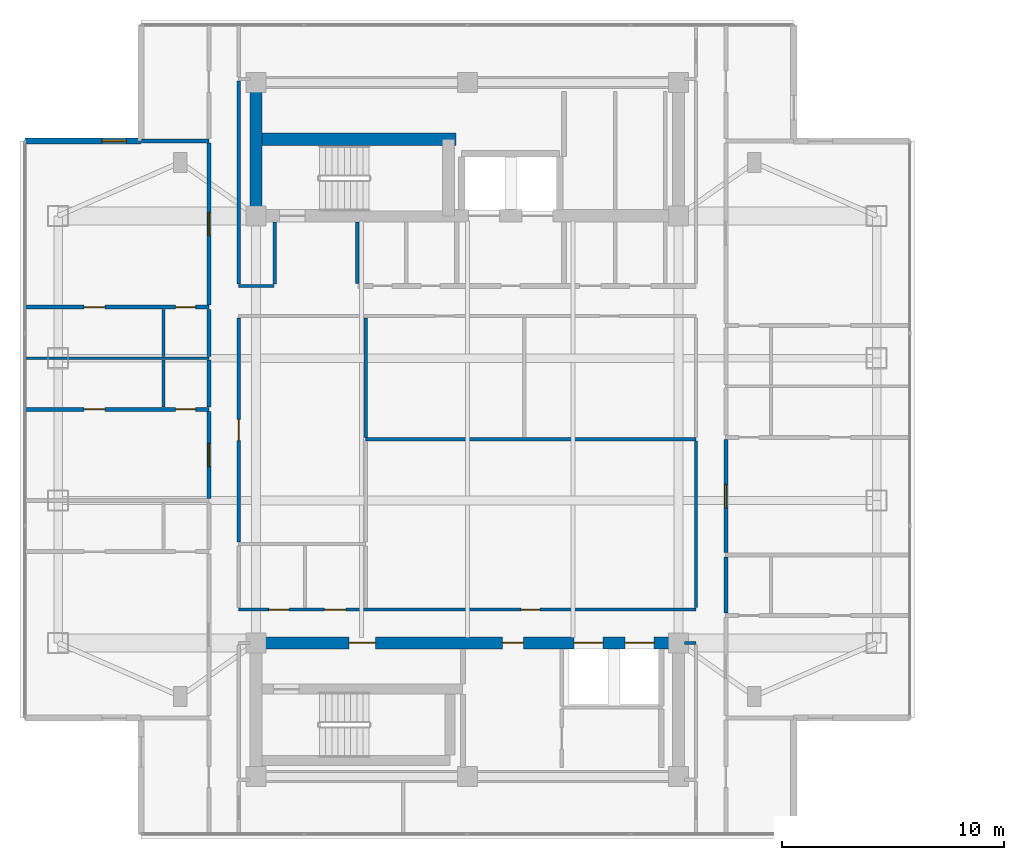
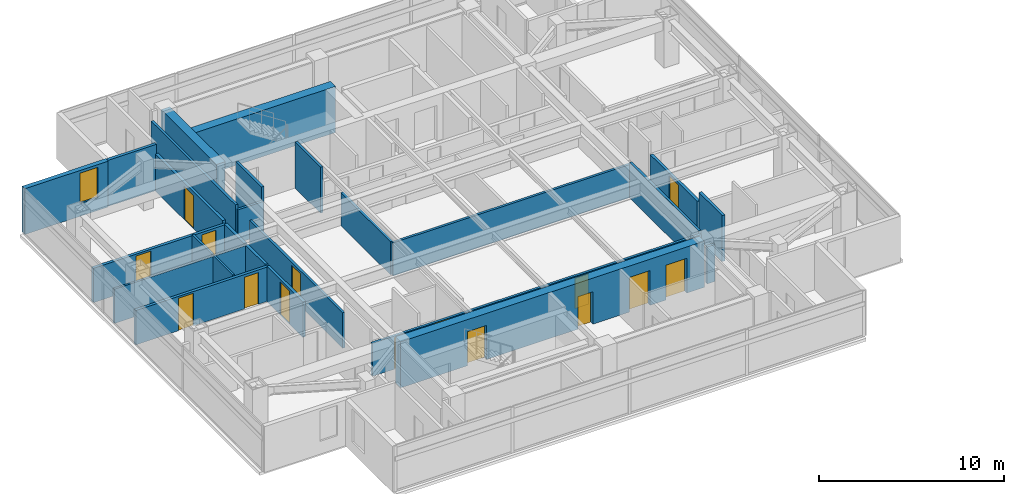
# One storey, part 13 of 24: 26 walls, 15 doors, 1 window, 16 openings.
"""IFC4 building model written with IfcOpenShell, lengths in metres."""

from ifc_helpers import new_model, si_unit, direction, frame, frame_2d, origin, place, context, subcontext, project, spatial, rectangle, extrude, material, layer, layer_set, type_object, element, fill, save


model = new_model("IFC4")

# Units and contexts
model_context = context("Model", 3, precision=1e-05, world=origin(), true_north=direction((0.0, 1.0)))
body_context = subcontext(model_context, "Body", "Model", "MODEL_VIEW")
ifc_project = project(units=[si_unit("LENGTHUNIT", "METRE"), si_unit("AREAUNIT", "SQUARE_METRE"), si_unit("VOLUMEUNIT", "CUBIC_METRE"), si_unit("PLANEANGLEUNIT", "RADIAN"), si_unit("MASSUNIT", "GRAM", prefix="KILO")], contexts=[model_context])

# Site, building, storey
site_placement = place(None, origin())
site = spatial("IfcSite", under=ifc_project, at=site_placement, CompositionType="ELEMENT")
building_placement = place(site_placement, origin())
building = spatial("IfcBuilding", under=site, at=building_placement, Name="Mirazonda Arch Towers", CompositionType="ELEMENT")
storey_placement = place(building_placement, frame((0.0, 0.0, 190.14990234375)))
storey = spatial("IfcBuildingStorey", under=building, at=storey_placement, Name="L54", CompositionType="ELEMENT", Elevation=190.14990234375)

# Walls
ifc_material_1 = material(Name="Concrete C50/60", Category="concrete")
ifc_layer_1 = layer(ifc_material_1, 0.550048828125, Name="WALL-CORE-550")
ifc_layer_set_1 = layer_set([ifc_layer_1], Name="Concrete C50/60")
wall_type_1 = type_object("IfcWallType", Name="WALL-CORE-550", PredefinedType="SHEAR", material=ifc_layer_set_1)
wall_1_placement = place(storey_placement, frame((11.0, 37.60009765625, 0.0), z_axis=(0.0, 0.0, 1.0), x_axis=(0.0, 1.0, 0.0)))
element("IfcWall", 1, at=wall_1_placement, inside=storey, type_object=wall_type_1, Name="L54 T1N-W Core Shear Wall", PredefinedType="SHEAR", context=body_context, shape_type="SweptSolid", body=[
    extrude(rectangle(XDim=6.0, YDim=0.550048828125, at=frame_2d((3.0, 0.0))), origin(), (0.0, 0.0, 1.0), 3.050048828125),
])
wall_2_placement = place(storey_placement, frame((11.0, 41.04296875, 0.0), z_axis=(0.0, 0.0, 1.0), x_axis=(1.0, 0.0, 0.0)))
element("IfcWall", 2, at=wall_2_placement, inside=storey, type_object=wall_type_1, Name="L54 T1N-STN Core Shear Wall", PredefinedType="SHEAR", context=body_context, shape_type="SweptSolid", body=[
    extrude(rectangle(XDim=9.0, YDim=0.550048828125, at=frame_2d((4.5, 0.0))), origin(), (0.0, 0.0, 1.0), 3.050048828125),
])

# Wall, openings, doors
wall_3_placement = place(storey_placement, frame((11.0, 18.39990234375, 0.0), z_axis=(0.0, 0.0, 1.0), x_axis=(1.0, 0.0, 0.0)))
wall_3 = element("IfcWall", 3, at=wall_3_placement, inside=storey, type_object=wall_type_1, Name="L54 T1S-N Core Shear Wall", PredefinedType="SHEAR", context=body_context, shape_type="SweptSolid", body=[
    extrude(rectangle(XDim=19.0, YDim=0.550048828125, at=frame_2d((9.5, 0.0))), origin(), (0.0, 0.0, 1.0), 3.050048828125),
])
opening_1_placement = place(wall_3_placement, frame((4.175048828125, 0.0, 0.0)))
opening_1 = element("IfcOpeningElement", 4, at=opening_1_placement, cuts=wall_3, Name="Opening DR-117", PredefinedType="OPENING", context=body_context, shape_type="SweptSolid", body=[
    extrude(rectangle(XDim=1.199951171875, YDim=2.25, at=frame_2d((0.60009765625, 1.125))), frame((0.0, 0.284912109375, 0.0), z_axis=(0.0, -1.0, 0.0), x_axis=(1.0, 0.0, 0.0)), (0.0, 0.0, 1.0), 0.570068359375),
])
opening_2_placement = place(wall_3_placement, frame((11.074951171875, 0.0, 0.0)))
opening_2 = element("IfcOpeningElement", 5, at=opening_2_placement, cuts=wall_3, Name="Opening DR-104", PredefinedType="OPENING", context=body_context, shape_type="SweptSolid", body=[
    extrude(rectangle(XDim=0.949951171875, YDim=2.14990234375, at=frame_2d((0.47509765625, 1.074951171875))), frame((0.0, 0.284912109375, 0.0), z_axis=(0.0, -1.0, 0.0), x_axis=(1.0, 0.0, 0.0)), (0.0, 0.0, 1.0), 0.570068359375),
])
opening_3_placement = place(wall_3_placement, frame((14.300048828125, 0.0, 0.0)))
opening_3 = element("IfcOpeningElement", 6, at=opening_3_placement, cuts=wall_3, Name="Opening LD-111", PredefinedType="OPENING", context=body_context, shape_type="SweptSolid", body=[
    extrude(rectangle(XDim=1.300048828125, YDim=2.300048828125, at=frame_2d((0.64990234375, 1.14990234375))), frame((0.0, 0.284912109375, 0.0), z_axis=(0.0, -1.0, 0.0), x_axis=(1.0, 0.0, 0.0)), (0.0, 0.0, 1.0), 0.570068359375),
])
opening_4_placement = place(wall_3_placement, frame((16.60009765625, 0.0, 0.0)))
opening_4 = element("IfcOpeningElement", 7, at=opening_4_placement, cuts=wall_3, Name="Opening LD-111", PredefinedType="OPENING", context=body_context, shape_type="SweptSolid", body=[
    extrude(rectangle(XDim=1.300048828125, YDim=2.300048828125, at=frame_2d((0.64990234375, 1.14990234375))), frame((0.0, 0.284912109375, 0.0), z_axis=(0.0, -1.0, 0.0), x_axis=(1.0, 0.0, 0.0)), (0.0, 0.0, 1.0), 0.570068359375),
])
ifc_material_2 = material(Name="Architectural Brushed Steel S355", Category="steel")
door_type_1 = type_object("IfcDoorType", Name="DOOR-FFL-FD90-1200", OperationType="NOTDEFINED", PredefinedType="DOOR", material=ifc_material_2)
door_1_placement = place(opening_1_placement, origin())
door_1 = element("IfcDoor", 8, at=door_1_placement, inside=storey, type_object=door_type_1, Name="L54 South Core Stair & Lift Lobby Door", OperationType="SINGLE_SWING_RIGHT", OverallHeight=2.25, OverallWidth=1.199951171875, PredefinedType="DOOR", context=body_context, shape_type="SweptSolid", body=[
    extrude(rectangle(XDim=1.199951171875, YDim=2.25, at=frame_2d((0.60009765625, 1.125))), frame((0.0, 0.02490234375, 0.0), z_axis=(0.0, -1.0, 0.0), x_axis=(1.0, 0.0, 0.0)), (0.0, 0.0, 1.0), 0.050048828125),
])
fill(opening_1, door_1)
door_type_2 = type_object("IfcDoorType", Name="DOOR-LIFT-LAND-1300", OperationType="NOTDEFINED", PredefinedType="DOOR", material=ifc_material_2)
door_2_placement = place(opening_3_placement, origin())
door_2 = element("IfcDoor", 9, at=door_2_placement, inside=storey, type_object=door_type_2, Name="L54 Lift Landing Sliding Door PL-T1H1", OperationType="DOUBLE_DOOR_SLIDING", OverallHeight=2.300048828125, OverallWidth=1.300048828125, PredefinedType="DOOR", context=body_context, shape_type="SweptSolid", body=[
    extrude(rectangle(XDim=1.300048828125, YDim=2.300048828125, at=frame_2d((0.64990234375, 1.14990234375))), frame((0.0, 0.02490234375, 0.0), z_axis=(0.0, -1.0, 0.0), x_axis=(1.0, 0.0, 0.0)), (0.0, 0.0, 1.0), 0.050048828125),
])
fill(opening_3, door_2)
door_3_placement = place(opening_4_placement, origin())
door_3 = element("IfcDoor", 10, at=door_3_placement, inside=storey, type_object=door_type_2, Name="L54 Lift Landing Sliding Door PL-T1H2", OperationType="DOUBLE_DOOR_SLIDING", OverallHeight=2.300048828125, OverallWidth=1.300048828125, PredefinedType="DOOR", context=body_context, shape_type="SweptSolid", body=[
    extrude(rectangle(XDim=1.300048828125, YDim=2.300048828125, at=frame_2d((0.64990234375, 1.14990234375))), frame((0.0, 0.02490234375, 0.0), z_axis=(0.0, -1.0, 0.0), x_axis=(1.0, 0.0, 0.0)), (0.0, 0.0, 1.0), 0.050048828125),
])
fill(opening_4, door_3)
door_type_3 = type_object("IfcDoorType", Name="DOOR-ROOM-950", OperationType="NOTDEFINED", PredefinedType="DOOR", material=ifc_material_2)
door_4_placement = place(opening_2_placement, origin())
door_4 = element("IfcDoor", 11, at=door_4_placement, inside=storey, type_object=door_type_3, Name="L54 Residents Wine Tasting Lounge Door", OperationType="SINGLE_SWING_RIGHT", OverallHeight=2.14990234375, OverallWidth=0.949951171875, PredefinedType="DOOR", context=body_context, shape_type="SweptSolid", body=[
    extrude(rectangle(XDim=0.949951171875, YDim=2.14990234375, at=frame_2d((0.47509765625, 1.074951171875))), frame((0.0, 0.02490234375, 0.0), z_axis=(0.0, -1.0, 0.0), x_axis=(1.0, 0.0, 0.0)), (0.0, 0.0, 1.0), 0.050048828125),
])
fill(opening_2, door_4)

# Wall, opening, window
ifc_material_3 = material(Name="Precast Concrete C40/50", Category="concrete")
ifc_layer_2 = layer(ifc_material_3, 0.280029296875, Name="WALL-EXT-WALL-280")
ifc_layer_set_2 = layer_set([ifc_layer_2], Name="Precast Concrete C40/50")
wall_type_2 = type_object("IfcWallType", Name="WALL-EXT-WALL-280", PredefinedType="SOLIDWALL", material=ifc_layer_set_2)
wall_4_placement = place(storey_placement, frame((5.824951171875, 40.970947265625, 0.0), z_axis=(0.0, 0.0, 1.0), x_axis=(-1.0, 0.0, 0.0)))
wall_4 = element("IfcWall", 12, at=wall_4_placement, inside=storey, type_object=wall_type_2, Name="L54 T1 Corner Notch Return Wall WL-L54-T1-CNW1", PredefinedType="SOLIDWALL", context=body_context, shape_type="SweptSolid", body=[
    extrude(rectangle(XDim=5.21484375, YDim=0.280029296875, at=frame_2d((2.607421875, 0.0))), origin(), (0.0, 0.0, 1.0), 3.030029296875),
])
opening_5_placement = place(wall_4_placement, frame((0.64990234375, 0.0, 0.85009765625)))
opening_5 = element("IfcOpeningElement", 13, at=opening_5_placement, cuts=wall_4, Name="Opening WN-108", PredefinedType="OPENING", context=body_context, shape_type="SweptSolid", body=[
    extrude(rectangle(XDim=1.10009765625, YDim=2.0, at=frame_2d((0.550048828125, 1.0))), frame((0.0, 0.14990234375, 0.0), z_axis=(0.0, -1.0, 0.0), x_axis=(1.0, 0.0, 0.0)), (0.0, 0.0, 1.0), 0.300048828125),
])
ifc_material_4 = material(Name="Insulated Low-E Solar Glass", Category="glass")
window_type = type_object("IfcWindowType", Name="WIN-NOTCH-1100x2000", PartitioningType="SINGLE_PANEL", PredefinedType="WINDOW", material=ifc_material_4)
window_placement = place(opening_5_placement, origin())
window = element("IfcWindow", 14, at=window_placement, inside=storey, type_object=window_type, Name="L54 Punched Facade Window WN-L54-T1-CNW1", OverallHeight=2.0, OverallWidth=1.10009765625, PartitioningType="SINGLE_PANEL", PredefinedType="WINDOW", context=body_context, shape_type="SweptSolid", body=[
    extrude(rectangle(XDim=1.10009765625, YDim=2.0, at=frame_2d((0.550048828125, 1.0))), frame((0.0, 0.030029296875, 0.0), z_axis=(0.0, -1.0, 0.0), x_axis=(1.0, 0.0, 0.0)), (0.0, 0.0, 1.0), 0.06005859375),
])
fill(opening_5, window)

# Wall
ifc_material_5 = material(Name="Fire-Rated Gypsum Stud Partition")
ifc_layer_3 = layer(ifc_material_5, 0.14990234375, Name="WALL-PART-CORR-150")
ifc_layer_set_3 = layer_set([ifc_layer_3], Name="Fire-Rated Gypsum Stud Partition")
wall_type_3 = type_object("IfcWallType", Name="WALL-PART-CORR-150", PredefinedType="PARTITIONING", material=ifc_layer_set_3)
wall_5_placement = place(storey_placement, frame((30.27001953125, 18.39990234375, 0.0), z_axis=(0.0, 0.0, 1.0), x_axis=(1.0, 0.0, 0.0)))
element("IfcWall", 15, at=wall_5_placement, inside=storey, type_object=wall_type_3, Name="L54 Interior Partition 012", PredefinedType="PARTITIONING", context=body_context, shape_type="SweptSolid", body=[
    extrude(rectangle(XDim=0.510009765625, YDim=0.14990234375, at=frame_2d((0.2548828125, 0.0))), origin(), (0.0, 0.0, 1.0), 2.442138671875),
])

# Wall, openings, doors
wall_6_placement = place(storey_placement, frame((10.219970703125, 19.89990234375, 0.0), z_axis=(0.0, 0.0, 1.0), x_axis=(1.0, 0.0, 0.0)))
wall_6 = element("IfcWall", 16, at=wall_6_placement, inside=storey, type_object=wall_type_3, Name="L54 Interior Partition 015", PredefinedType="PARTITIONING", context=body_context, shape_type="SweptSolid", body=[
    extrude(rectangle(XDim=20.56005859375, YDim=0.14990234375, at=frame_2d((10.280029296875, 0.0))), origin(), (0.0, 0.0, 1.0), 2.18603515625),
])
opening_6_placement = place(wall_6_placement, frame((1.360107421875, 0.0, 0.0)))
opening_6 = element("IfcOpeningElement", 17, at=opening_6_placement, cuts=wall_6, Name="Opening DR-120", PredefinedType="OPENING", context=body_context, shape_type="SweptSolid", body=[
    extrude(rectangle(XDim=0.89990234375, YDim=2.10009765625, at=frame_2d((0.449951171875, 1.050048828125))), frame((0.0, 0.0849609375, 0.0), z_axis=(0.0, -1.0, 0.0), x_axis=(1.0, 0.0, 0.0)), (0.0, 0.0, 1.0), 0.169921875),
])
opening_7_placement = place(wall_6_placement, frame((3.8701171875, 0.0, 0.0)))
opening_7 = element("IfcOpeningElement", 18, at=opening_7_placement, cuts=wall_6, Name="Opening DR-104", PredefinedType="OPENING", context=body_context, shape_type="SweptSolid", body=[
    extrude(rectangle(XDim=0.949951171875, YDim=2.14990234375, at=frame_2d((0.47509765625, 1.074951171875))), frame((0.0, 0.0849609375, 0.0), z_axis=(0.0, -1.0, 0.0), x_axis=(1.0, 0.0, 0.0)), (0.0, 0.0, 1.0), 0.169921875),
])
opening_8_placement = place(wall_6_placement, frame((12.68994140625, 0.0, 0.0)))
opening_8 = element("IfcOpeningElement", 19, at=opening_8_placement, cuts=wall_6, Name="Opening DR-128", PredefinedType="OPENING", context=body_context, shape_type="SweptSolid", body=[
    extrude(rectangle(XDim=0.85009765625, YDim=2.010009765625, at=frame_2d((0.425048828125, 1.0048828125))), frame((0.0, 0.0849609375, 0.0), z_axis=(0.0, -1.0, 0.0), x_axis=(1.0, 0.0, 0.0)), (0.0, 0.0, 1.0), 0.169921875),
])
door_type_4 = type_object("IfcDoorType", Name="DOOR-RISER-FD60-850", OperationType="NOTDEFINED", PredefinedType="DOOR", material=ifc_material_2)
door_5_placement = place(opening_8_placement, origin())
door_5 = element("IfcDoor", 20, at=door_5_placement, inside=storey, type_object=door_type_4, Name="L54 Executive Club Lounge Door", OperationType="SINGLE_SWING_LEFT", OverallHeight=2.010009765625, OverallWidth=0.85009765625, PredefinedType="DOOR", context=body_context, shape_type="SweptSolid", body=[
    extrude(rectangle(XDim=0.85009765625, YDim=2.010009765625, at=frame_2d((0.425048828125, 1.0048828125))), frame((0.0, 0.02490234375, 0.0), z_axis=(0.0, -1.0, 0.0), x_axis=(1.0, 0.0, 0.0)), (0.0, 0.0, 1.0), 0.050048828125),
])
fill(opening_8, door_5)
door_6_placement = place(opening_7_placement, origin())
door_6 = element("IfcDoor", 21, at=door_6_placement, inside=storey, type_object=door_type_3, Name="L54 L54 West Courtyard Study Door", OperationType="SINGLE_SWING_LEFT", OverallHeight=2.14990234375, OverallWidth=0.949951171875, PredefinedType="DOOR", context=body_context, shape_type="SweptSolid", body=[
    extrude(rectangle(XDim=0.949951171875, YDim=2.14990234375, at=frame_2d((0.47509765625, 1.074951171875))), frame((0.0, 0.02490234375, 0.0), z_axis=(0.0, -1.0, 0.0), x_axis=(1.0, 0.0, 0.0)), (0.0, 0.0, 1.0), 0.050048828125),
])
fill(opening_7, door_6)
door_type_5 = type_object("IfcDoorType", Name="DOOR-WC-900", OperationType="NOTDEFINED", PredefinedType="DOOR", material=ifc_material_2)
door_7_placement = place(opening_6_placement, origin())
door_7 = element("IfcDoor", 22, at=door_7_placement, inside=storey, type_object=door_type_5, Name="L54 Common Accessible WC Door", OperationType="SINGLE_SWING_RIGHT", OverallHeight=2.10009765625, OverallWidth=0.89990234375, PredefinedType="DOOR", context=body_context, shape_type="SweptSolid", body=[
    extrude(rectangle(XDim=0.89990234375, YDim=2.10009765625, at=frame_2d((0.449951171875, 1.050048828125))), frame((0.0, 0.02490234375, 0.0), z_axis=(0.0, -1.0, 0.0), x_axis=(1.0, 0.0, 0.0)), (0.0, 0.0, 1.0), 0.050048828125),
])
fill(opening_6, door_7)

# Walls
wall_7_placement = place(storey_placement, frame((15.929931640625, 27.555908203125, 0.0), z_axis=(0.0, 0.0, 1.0), x_axis=(1.0, 0.0, 0.0)))
element("IfcWall", 23, at=wall_7_placement, inside=storey, type_object=wall_type_3, Name="L54 Interior Partition 031", PredefinedType="PARTITIONING", context=body_context, shape_type="SweptSolid", body=[
    extrude(rectangle(XDim=14.85009765625, YDim=0.14990234375, at=frame_2d((7.425048828125, 0.0))), origin(), (0.0, 0.0, 1.0), 2.18603515625),
])
wall_8_placement = place(storey_placement, frame((10.219970703125, 34.449951171875, 0.0), z_axis=(0.0, 0.0, 1.0), x_axis=(1.0, 0.0, 0.0)))
element("IfcWall", 24, at=wall_8_placement, inside=storey, type_object=wall_type_3, Name="L54 Interior Partition 047", PredefinedType="PARTITIONING", context=body_context, shape_type="SweptSolid", body=[
    extrude(rectangle(XDim=1.580078125, YDim=0.14990234375, at=frame_2d((0.7900390625, 0.0))), origin(), (0.0, 0.0, 1.0), 2.18603515625),
])

# Wall, opening, door
wall_9_placement = place(storey_placement, frame((10.219970703125, 22.93505859375, 0.0), z_axis=(0.0, 0.0, 1.0), x_axis=(0.0, 1.0, 0.0)))
wall_9 = element("IfcWall", 25, at=wall_9_placement, inside=storey, type_object=wall_type_3, Name="L54 Interior Partition 074", PredefinedType="PARTITIONING", context=body_context, shape_type="SweptSolid", body=[
    extrude(rectangle(XDim=10.079833984375, YDim=0.14990234375, at=frame_2d((5.0400390625, 0.0))), origin(), (0.0, 0.0, 1.0), 2.34619140625),
])
opening_9_placement = place(wall_9_placement, frame((4.56494140625, 0.0, 0.0)))
opening_9 = element("IfcOpeningElement", 26, at=opening_9_placement, cuts=wall_9, Name="Opening DR-104", PredefinedType="OPENING", context=body_context, shape_type="SweptSolid", body=[
    extrude(rectangle(XDim=0.949951171875, YDim=2.14990234375, at=frame_2d((0.47509765625, 1.074951171875))), frame((0.0, 0.0849609375, 0.0), z_axis=(0.0, -1.0, 0.0), x_axis=(1.0, 0.0, 0.0)), (0.0, 0.0, 1.0), 0.169921875),
])
door_8_placement = place(opening_9_placement, origin())
door_8 = element("IfcDoor", 27, at=door_8_placement, inside=storey, type_object=door_type_3, Name="L54 L54 West Courtyard Salon Door", OperationType="SINGLE_SWING_RIGHT", OverallHeight=2.14990234375, OverallWidth=0.949951171875, PredefinedType="DOOR", context=body_context, shape_type="SweptSolid", body=[
    extrude(rectangle(XDim=0.949951171875, YDim=2.14990234375, at=frame_2d((0.47509765625, 1.074951171875))), frame((0.0, 0.02490234375, 0.0), z_axis=(0.0, -1.0, 0.0), x_axis=(1.0, 0.0, 0.0)), (0.0, 0.0, 1.0), 0.050048828125),
])
fill(opening_9, door_8)

# Walls
wall_10_placement = place(storey_placement, frame((10.219970703125, 34.534912109375, 0.0), z_axis=(0.0, 0.0, 1.0), x_axis=(0.0, 1.0, 0.0)))
element("IfcWall", 28, at=wall_10_placement, inside=storey, type_object=wall_type_3, Name="L54 Interior Partition 075", PredefinedType="PARTITIONING", context=body_context, shape_type="SweptSolid", body=[
    extrude(rectangle(XDim=9.130126953125, YDim=0.14990234375, at=frame_2d((4.56494140625, 0.0))), origin(), (0.0, 0.0, 1.0), 2.442138671875),
])
wall_11_placement = place(storey_placement, frame((11.85009765625, 34.534912109375, 0.0), z_axis=(0.0, 0.0, 1.0), x_axis=(0.0, 1.0, 0.0)))
element("IfcWall", 29, at=wall_11_placement, inside=storey, type_object=wall_type_3, Name="L54 Interior Partition 077", PredefinedType="PARTITIONING", context=body_context, shape_type="SweptSolid", body=[
    extrude(rectangle(XDim=2.795166015625, YDim=0.14990234375, at=frame_2d((1.3974609375, 0.0))), origin(), (0.0, 0.0, 1.0), 3.050048828125),
])
wall_12_placement = place(storey_placement, frame((15.550048828125, 34.570068359375, 0.0), z_axis=(0.0, 0.0, 1.0), x_axis=(0.0, 1.0, 0.0)))
element("IfcWall", 30, at=wall_12_placement, inside=storey, type_object=wall_type_3, Name="L54 Interior Partition 079", PredefinedType="PARTITIONING", context=body_context, shape_type="SweptSolid", body=[
    extrude(rectangle(XDim=2.760009765625, YDim=0.14990234375, at=frame_2d((1.3798828125, 0.0))), origin(), (0.0, 0.0, 1.0), 3.050048828125),
])
wall_13_placement = place(storey_placement, frame((15.929931640625, 27.64111328125, 0.0), z_axis=(0.0, 0.0, 1.0), x_axis=(0.0, 1.0, 0.0)))
element("IfcWall", 31, at=wall_13_placement, inside=storey, type_object=wall_type_3, Name="L54 Interior Partition 082", PredefinedType="PARTITIONING", context=body_context, shape_type="SweptSolid", body=[
    extrude(rectangle(XDim=5.373779296875, YDim=0.14990234375, at=frame_2d((2.68701171875, 0.0))), origin(), (0.0, 0.0, 1.0), 2.18603515625),
])
wall_14_placement = place(storey_placement, frame((30.780029296875, 19.985107421875, 0.0), z_axis=(0.0, 0.0, 1.0), x_axis=(0.0, 1.0, 0.0)))
element("IfcWall", 32, at=wall_14_placement, inside=storey, type_object=wall_type_3, Name="L54 Interior Partition 104", PredefinedType="PARTITIONING", context=body_context, shape_type="SweptSolid", body=[
    extrude(rectangle(XDim=7.48583984375, YDim=0.14990234375, at=frame_2d((3.742919921875, 0.0))), origin(), (0.0, 0.0, 1.0), 2.34619140625),
])

# Wall, openings, doors
ifc_material_6 = material(Name="Fire-Rated Gypsum Twin-Stud Assembly")
ifc_layer_4 = layer(ifc_material_6, 0.179931640625, Name="WALL-PART-DEMISE-180")
ifc_layer_set_4 = layer_set([ifc_layer_4], Name="Fire-Rated Gypsum Twin-Stud Assembly")
wall_type_4 = type_object("IfcWallType", Name="WALL-PART-DEMISE-180", PredefinedType="PARTITIONING", material=ifc_layer_set_4)
wall_15_placement = place(storey_placement, frame((0.610107421875, 28.89990234375, 0.0), z_axis=(0.0, 0.0, 1.0), x_axis=(1.0, 0.0, 0.0)))
wall_15 = element("IfcWall", 33, at=wall_15_placement, inside=storey, type_object=wall_type_4, Name="L54 Interior Partition 035", PredefinedType="PARTITIONING", context=body_context, shape_type="SweptSolid", body=[
    extrude(rectangle(XDim=8.269775390625, YDim=0.179931640625, at=frame_2d((4.134765625, 0.0))), origin(), (0.0, 0.0, 1.0), 2.26904296875),
])
opening_10_placement = place(wall_15_placement, frame((2.659912109375, 0.0, 0.0)))
opening_10 = element("IfcOpeningElement", 34, at=opening_10_placement, cuts=wall_15, Name="Opening DR-104", PredefinedType="OPENING", context=body_context, shape_type="SweptSolid", body=[
    extrude(rectangle(XDim=0.949951171875, YDim=2.14990234375, at=frame_2d((0.47509765625, 1.074951171875))), frame((0.0, 0.099853515625, 0.0), z_axis=(0.0, -1.0, 0.0), x_axis=(1.0, 0.0, 0.0)), (0.0, 0.0, 1.0), 0.199951171875),
])
opening_11_placement = place(wall_15_placement, frame((6.780029296875, 0.0, 0.0)))
opening_11 = element("IfcOpeningElement", 35, at=opening_11_placement, cuts=wall_15, Name="Opening DR-120", PredefinedType="OPENING", context=body_context, shape_type="SweptSolid", body=[
    extrude(rectangle(XDim=0.89990234375, YDim=2.10009765625, at=frame_2d((0.449951171875, 1.050048828125))), frame((0.0, 0.099853515625, 0.0), z_axis=(0.0, -1.0, 0.0), x_axis=(1.0, 0.0, 0.0)), (0.0, 0.0, 1.0), 0.199951171875),
])
door_9_placement = place(opening_10_placement, origin())
door_9 = element("IfcDoor", 36, at=door_9_placement, inside=storey, type_object=door_type_3, Name="L54 Guestroom Study 2 Door", OperationType="SINGLE_SWING_LEFT", OverallHeight=2.14990234375, OverallWidth=0.949951171875, PredefinedType="DOOR", context=body_context, shape_type="SweptSolid", body=[
    extrude(rectangle(XDim=0.949951171875, YDim=2.14990234375, at=frame_2d((0.47509765625, 1.074951171875))), frame((0.0, 0.02490234375, 0.0), z_axis=(0.0, -1.0, 0.0), x_axis=(1.0, 0.0, 0.0)), (0.0, 0.0, 1.0), 0.050048828125),
])
fill(opening_10, door_9)
door_10_placement = place(opening_11_placement, origin())
door_10 = element("IfcDoor", 37, at=door_10_placement, inside=storey, type_object=door_type_5, Name="L54 En-Suite Bathroom 2 Door", OperationType="SINGLE_SWING_RIGHT", OverallHeight=2.10009765625, OverallWidth=0.89990234375, PredefinedType="DOOR", context=body_context, shape_type="SweptSolid", body=[
    extrude(rectangle(XDim=0.89990234375, YDim=2.10009765625, at=frame_2d((0.449951171875, 1.050048828125))), frame((0.0, 0.02490234375, 0.0), z_axis=(0.0, -1.0, 0.0), x_axis=(1.0, 0.0, 0.0)), (0.0, 0.0, 1.0), 0.050048828125),
])
fill(opening_11, door_10)

wall_16_placement = place(storey_placement, frame((0.610107421875, 33.5, 0.0), z_axis=(0.0, 0.0, 1.0), x_axis=(1.0, 0.0, 0.0)))
wall_16 = element("IfcWall", 38, at=wall_16_placement, inside=storey, type_object=wall_type_4, Name="L54 Interior Partition 046", PredefinedType="PARTITIONING", context=body_context, shape_type="SweptSolid", body=[
    extrude(rectangle(XDim=8.269775390625, YDim=0.179931640625, at=frame_2d((4.134765625, 0.0))), origin(), (0.0, 0.0, 1.0), 2.26904296875),
])
opening_12_placement = place(wall_16_placement, frame((2.659912109375, 0.0, 0.0)))
opening_12 = element("IfcOpeningElement", 39, at=opening_12_placement, cuts=wall_16, Name="Opening DR-104", PredefinedType="OPENING", context=body_context, shape_type="SweptSolid", body=[
    extrude(rectangle(XDim=0.949951171875, YDim=2.14990234375, at=frame_2d((0.47509765625, 1.074951171875))), frame((0.0, 0.099853515625, 0.0), z_axis=(0.0, -1.0, 0.0), x_axis=(1.0, 0.0, 0.0)), (0.0, 0.0, 1.0), 0.199951171875),
])
opening_13_placement = place(wall_16_placement, frame((6.780029296875, 0.0, 0.0)))
opening_13 = element("IfcOpeningElement", 40, at=opening_13_placement, cuts=wall_16, Name="Opening DR-120", PredefinedType="OPENING", context=body_context, shape_type="SweptSolid", body=[
    extrude(rectangle(XDim=0.89990234375, YDim=2.10009765625, at=frame_2d((0.449951171875, 1.050048828125))), frame((0.0, 0.099853515625, 0.0), z_axis=(0.0, -1.0, 0.0), x_axis=(1.0, 0.0, 0.0)), (0.0, 0.0, 1.0), 0.199951171875),
])
door_11_placement = place(opening_12_placement, origin())
door_11 = element("IfcDoor", 41, at=door_11_placement, inside=storey, type_object=door_type_3, Name="L54 Guestroom Study 3 Door", OperationType="SINGLE_SWING_RIGHT", OverallHeight=2.14990234375, OverallWidth=0.949951171875, PredefinedType="DOOR", context=body_context, shape_type="SweptSolid", body=[
    extrude(rectangle(XDim=0.949951171875, YDim=2.14990234375, at=frame_2d((0.47509765625, 1.074951171875))), frame((0.0, 0.02490234375, 0.0), z_axis=(0.0, -1.0, 0.0), x_axis=(1.0, 0.0, 0.0)), (0.0, 0.0, 1.0), 0.050048828125),
])
fill(opening_12, door_11)
door_12_placement = place(opening_13_placement, origin())
door_12 = element("IfcDoor", 42, at=door_12_placement, inside=storey, type_object=door_type_5, Name="L54 En-Suite Bathroom 3 Door", OperationType="SINGLE_SWING_LEFT", OverallHeight=2.10009765625, OverallWidth=0.89990234375, PredefinedType="DOOR", context=body_context, shape_type="SweptSolid", body=[
    extrude(rectangle(XDim=0.89990234375, YDim=2.10009765625, at=frame_2d((0.449951171875, 1.050048828125))), frame((0.0, 0.02490234375, 0.0), z_axis=(0.0, -1.0, 0.0), x_axis=(1.0, 0.0, 0.0)), (0.0, 0.0, 1.0), 0.050048828125),
])
fill(opening_13, door_12)

# Wall
wall_17_placement = place(storey_placement, frame((5.844970703125, 40.970947265625, 0.0), z_axis=(0.0, 0.0, 1.0), x_axis=(1.0, 0.0, 0.0)))
element("IfcWall", 43, at=wall_17_placement, inside=storey, type_object=wall_type_4, Name="L54 Interior Partition 056", PredefinedType="PARTITIONING", context=body_context, shape_type="SweptSolid", body=[
    extrude(rectangle(XDim=3.034912109375, YDim=0.179931640625, at=frame_2d((1.517578125, 0.0))), origin(), (0.0, 0.0, 1.0), 3.050048828125),
])

# Wall, opening, door
wall_18_placement = place(storey_placement, frame((8.8798828125, 24.89990234375, 0.0), z_axis=(0.0, 0.0, 1.0), x_axis=(0.0, 1.0, 0.0)))
wall_18 = element("IfcWall", 44, at=wall_18_placement, inside=storey, type_object=wall_type_4, Name="L54 Interior Partition 066", PredefinedType="PARTITIONING", context=body_context, shape_type="SweptSolid", body=[
    extrude(rectangle(XDim=3.900146484375, YDim=0.179931640625, at=frame_2d((1.9501953125, 0.0))), origin(), (0.0, 0.0, 1.0), 2.34619140625),
])
opening_14_placement = place(wall_18_placement, frame((1.425048828125, 0.0, 0.0)))
opening_14 = element("IfcOpeningElement", 45, at=opening_14_placement, cuts=wall_18, Name="Opening DR-121", PredefinedType="OPENING", context=body_context, shape_type="SweptSolid", body=[
    extrude(rectangle(XDim=1.050048828125, YDim=2.199951171875, at=frame_2d((0.52490234375, 1.10009765625))), frame((0.0, 0.099853515625, 0.0), z_axis=(0.0, -1.0, 0.0), x_axis=(1.0, 0.0, 0.0)), (0.0, 0.0, 1.0), 0.199951171875),
])
door_type_6 = type_object("IfcDoorType", Name="DOOR-SUITE-FD60-1050", OperationType="NOTDEFINED", PredefinedType="DOOR", material=ifc_material_2)
door_13_placement = place(opening_14_placement, origin())
door_13 = element("IfcDoor", 46, at=door_13_placement, inside=storey, type_object=door_type_6, Name="L54 Twin Hotel Guestroom 2 Door", OperationType="SINGLE_SWING_RIGHT", OverallHeight=2.199951171875, OverallWidth=1.050048828125, PredefinedType="DOOR", context=body_context, shape_type="SweptSolid", body=[
    extrude(rectangle(XDim=1.050048828125, YDim=2.199951171875, at=frame_2d((0.52490234375, 1.10009765625))), frame((0.0, 0.02490234375, 0.0), z_axis=(0.0, -1.0, 0.0), x_axis=(1.0, 0.0, 0.0)), (0.0, 0.0, 1.0), 0.050048828125),
])
fill(opening_14, door_13)

# Walls
for number, where, z_axis, x_axis, name in (
    (47, (8.8798828125, 29.0, 0.0), (0.0, 0.0, 1.0), (0.0, 1.0, 0.0), "L54 Interior Partition 067"),
    (48, (8.8798828125, 31.2724609375, 0.0), (0.0, 0.0, 1.0), (0.0, 1.0, 0.0), "L54 Interior Partition 068"),
):
    element("IfcWall", number, at=place(storey_placement, frame(where, z_axis=z_axis, x_axis=x_axis)), inside=storey, type_object=wall_type_4, Name=name, PredefinedType="PARTITIONING", context=body_context, shape_type="SweptSolid", body=[
        extrude(rectangle(XDim=2.12744140625, YDim=0.179931640625, at=frame_2d((1.063720703125, 0.0))), origin(), (0.0, 0.0, 1.0), 2.34619140625),
    ])

# Wall, opening, door
wall_19_placement = place(storey_placement, frame((8.8798828125, 33.60009765625, 0.0), z_axis=(0.0, 0.0, 1.0), x_axis=(0.0, 1.0, 0.0)))
wall_19 = element("IfcWall", 49, at=wall_19_placement, inside=storey, type_object=wall_type_4, Name="L54 Interior Partition 069", PredefinedType="PARTITIONING", context=body_context, shape_type="SweptSolid", body=[
    extrude(rectangle(XDim=7.27099609375, YDim=0.179931640625, at=frame_2d((3.635498046875, 0.0))), origin(), (0.0, 0.0, 1.0), 2.442138671875),
])
opening_15_placement = place(wall_19_placement, frame((3.110595703125, 0.0, 0.0)))
opening_15 = element("IfcOpeningElement", 50, at=opening_15_placement, cuts=wall_19, Name="Opening DR-121", PredefinedType="OPENING", context=body_context, shape_type="SweptSolid", body=[
    extrude(rectangle(XDim=1.050048828125, YDim=2.199951171875, at=frame_2d((0.52490234375, 1.10009765625))), frame((0.0, 0.099853515625, 0.0), z_axis=(0.0, -1.0, 0.0), x_axis=(1.0, 0.0, 0.0)), (0.0, 0.0, 1.0), 0.199951171875),
])
door_14_placement = place(opening_15_placement, origin())
door_14 = element("IfcDoor", 51, at=door_14_placement, inside=storey, type_object=door_type_6, Name="L54 King Hotel Guestroom 3 Door", OperationType="SINGLE_SWING_LEFT", OverallHeight=2.199951171875, OverallWidth=1.050048828125, PredefinedType="DOOR", context=body_context, shape_type="SweptSolid", body=[
    extrude(rectangle(XDim=1.050048828125, YDim=2.199951171875, at=frame_2d((0.52490234375, 1.10009765625))), frame((0.0, 0.02490234375, 0.0), z_axis=(0.0, -1.0, 0.0), x_axis=(1.0, 0.0, 0.0)), (0.0, 0.0, 1.0), 0.050048828125),
])
fill(opening_15, door_14)

# Wall
wall_20_placement = place(storey_placement, frame((32.1201171875, 19.735107421875, 0.0), z_axis=(0.0, 0.0, 1.0), x_axis=(0.0, 1.0, 0.0)))
element("IfcWall", 52, at=wall_20_placement, inside=storey, type_object=wall_type_4, Name="L54 Interior Partition 110", PredefinedType="PARTITIONING", context=body_context, shape_type="SweptSolid", body=[
    extrude(rectangle(XDim=2.519775390625, YDim=0.179931640625, at=frame_2d((1.259765625, 0.0))), origin(), (0.0, 0.0, 1.0), 3.050048828125),
])

# Wall, opening, door
wall_21_placement = place(storey_placement, frame((32.1201171875, 22.455078125, 0.0), z_axis=(0.0, 0.0, 1.0), x_axis=(0.0, 1.0, 0.0)))
wall_21 = element("IfcWall", 53, at=wall_21_placement, inside=storey, type_object=wall_type_4, Name="L54 Interior Partition 111", PredefinedType="PARTITIONING", context=body_context, shape_type="SweptSolid", body=[
    extrude(rectangle(XDim=5.0859375, YDim=0.179931640625, at=frame_2d((2.54296875, 0.0))), origin(), (0.0, 0.0, 1.0), 2.34619140625),
])
opening_16_placement = place(wall_21_placement, frame((2.01806640625, 0.0, 0.0)))
opening_16 = element("IfcOpeningElement", 54, at=opening_16_placement, cuts=wall_21, Name="Opening DR-121", PredefinedType="OPENING", context=body_context, shape_type="SweptSolid", body=[
    extrude(rectangle(XDim=1.050048828125, YDim=2.199951171875, at=frame_2d((0.52490234375, 1.10009765625))), frame((0.0, 0.099853515625, 0.0), z_axis=(0.0, -1.0, 0.0), x_axis=(1.0, 0.0, 0.0)), (0.0, 0.0, 1.0), 0.199951171875),
])
door_15_placement = place(opening_16_placement, origin())
door_15 = element("IfcDoor", 55, at=door_15_placement, inside=storey, type_object=door_type_6, Name="L54 Twin Hotel Guestroom 2 Door", OperationType="SINGLE_SWING_LEFT", OverallHeight=2.199951171875, OverallWidth=1.050048828125, PredefinedType="DOOR", context=body_context, shape_type="SweptSolid", body=[
    extrude(rectangle(XDim=1.050048828125, YDim=2.199951171875, at=frame_2d((0.52490234375, 1.10009765625))), frame((0.0, 0.02490234375, 0.0), z_axis=(0.0, -1.0, 0.0), x_axis=(1.0, 0.0, 0.0)), (0.0, 0.0, 1.0), 0.050048828125),
])
fill(opening_16, door_15)

# Walls
ifc_material_7 = material(Name="Acoustic Fire-Rated Gypsum Partition")
ifc_layer_5 = layer(ifc_material_7, 0.125, Name="WALL-PART-UNIT-125")
ifc_layer_set_5 = layer_set([ifc_layer_5], Name="Acoustic Fire-Rated Gypsum Partition")
wall_type_5 = type_object("IfcWallType", Name="WALL-PART-UNIT-125", PredefinedType="PARTITIONING", material=ifc_layer_set_5)
wall_22_placement = place(storey_placement, frame((0.610107421875, 31.199951171875, 0.0), z_axis=(0.0, 0.0, 1.0), x_axis=(1.0, 0.0, 0.0)))
element("IfcWall", 56, at=wall_22_placement, inside=storey, type_object=wall_type_5, Name="L54 Interior Partition 041", PredefinedType="PARTITIONING", context=body_context, shape_type="SweptSolid", body=[
    extrude(rectangle(XDim=8.269775390625, YDim=0.125, at=frame_2d((4.134765625, 0.0))), origin(), (0.0, 0.0, 1.0), 2.26904296875),
])
for number, where, z_axis, x_axis, name in (
    (57, (6.840087890625, 29.0, 0.0), (0.0, 0.0, 1.0), (0.0, 1.0, 0.0), "L54 Interior Partition 061"),
    (58, (6.840087890625, 31.2724609375, 0.0), (0.0, 0.0, 1.0), (0.0, 1.0, 0.0), "L54 Interior Partition 062"),
):
    element("IfcWall", number, at=place(storey_placement, frame(where, z_axis=z_axis, x_axis=x_axis)), inside=storey, type_object=wall_type_5, Name=name, PredefinedType="PARTITIONING", context=body_context, shape_type="SweptSolid", body=[
        extrude(rectangle(XDim=2.12744140625, YDim=0.125, at=frame_2d((1.063720703125, 0.0))), origin(), (0.0, 0.0, 1.0), 2.34619140625),
    ])

save(model, "model.ifc")
